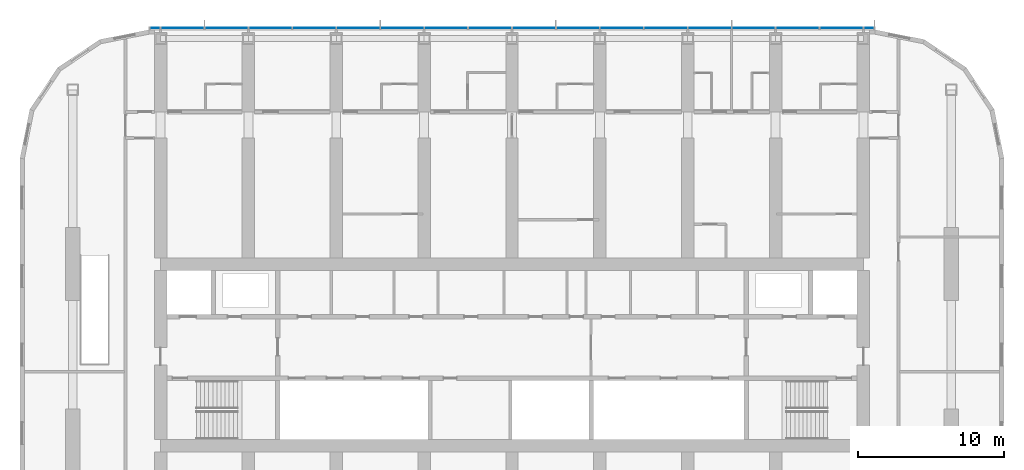
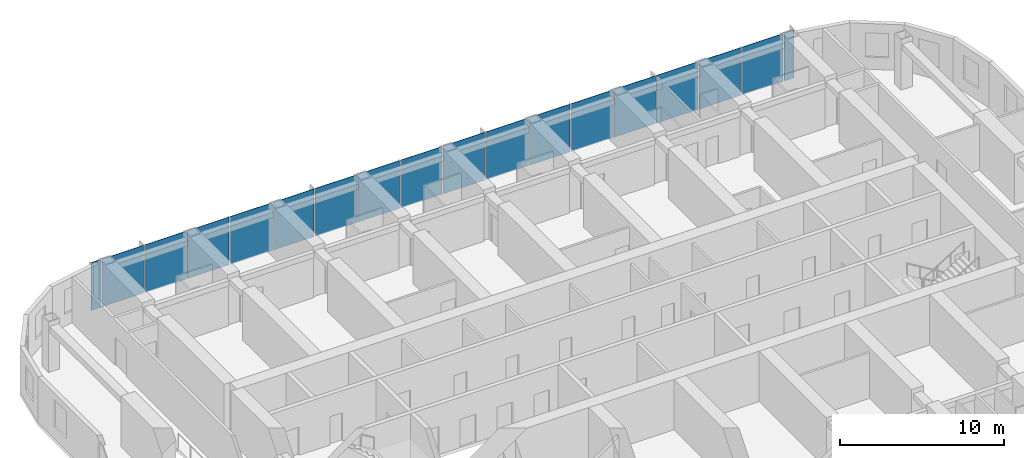
# One storey, part 9 of 22: 18 plates, 1 element without a shape of its own.
"""IFC4 building model written with IfcOpenShell, lengths in metres."""

from ifc_helpers import new_model, si_unit, direction, frame, origin, origin_2d, place, context, subcontext, project, spatial, rectangle, extrude, material, layer, layer_set, type_object, element, aggregate, save


model = new_model("IFC4")

# Units and contexts
model_context = context("Model", 3, precision=1e-05, world=origin(), true_north=direction((0.0, 1.0)))
body_context = subcontext(model_context, "Body", "Model", "MODEL_VIEW")
ifc_project = project(units=[si_unit("LENGTHUNIT", "METRE"), si_unit("AREAUNIT", "SQUARE_METRE"), si_unit("VOLUMEUNIT", "CUBIC_METRE"), si_unit("PLANEANGLEUNIT", "RADIAN"), si_unit("MASSUNIT", "GRAM", prefix="KILO")], contexts=[model_context])

# Site, building, storey
site_placement = place(None, origin())
site = spatial("IfcSite", under=ifc_project, at=site_placement, CompositionType="ELEMENT")
building_placement = place(site_placement, origin())
building = spatial("IfcBuilding", under=site, at=building_placement, Name="Orbita Commons", CompositionType="ELEMENT")
storey_placement = place(building_placement, frame((0.0, 0.0, 197.35009765625)))
storey = spatial("IfcBuildingStorey", under=building, at=storey_placement, Name="L49", CompositionType="ELEMENT", Elevation=197.35009765625)

# Curtain wall, plates
ifc_material_1 = material(Name="Anodised aluminium frame, pale silver", Category="aluminium")
curtain_wall_type = type_object("IfcCurtainWallType", Name="Unitised curtain wall CW-U, full-height vision", PredefinedType="NOTDEFINED", material=ifc_material_1)
curtain_wall_placement = place(storey_placement, origin())
curtain_wall = element("IfcCurtainWall", 1, at=curtain_wall_placement, inside=storey, type_object=curtain_wall_type, Name="Curtain wall north L49", PredefinedType="NOTDEFINED")
ifc_material_2 = material(Name="Clear double glazing", Category="glass")
ifc_layer = layer(ifc_material_2, 0.031982421875)
ifc_layer_set = layer_set([ifc_layer], Name="Clear double glazing")
plate_type = type_object("IfcPlateType", Name="Full-height vision panel, clear glazing 32", PredefinedType="CURTAIN_PANEL", material=ifc_layer_set)
plate_1_placement = place(storey_placement, frame((66.3798828125, 54.31005859375, -0.14990234375), z_axis=(0.0, 0.0, 1.0), x_axis=(-1.0, 0.0, 0.0)))
plate_1 = element("IfcPlate", 2, at=plate_1_placement, type_object=plate_type, Name="Panel 1.1 CW-L49-N", PredefinedType="CURTAIN_PANEL", context=body_context, shape_type="SweptSolid", body=[
    extrude(rectangle(XDim=0.679931640625, YDim=0.031982421875, at=origin_2d()), origin(), (0.0, 0.0, 1.0), 3.550048828125),
])
plate_2_placement = place(storey_placement, frame((64.5, 54.31005859375, -0.14990234375), z_axis=(0.0, 0.0, 1.0), x_axis=(-1.0, 0.0, 0.0)))
plate_2 = element("IfcPlate", 3, at=plate_2_placement, type_object=plate_type, Name="Panel 2.1 CW-L49-N", PredefinedType="CURTAIN_PANEL", context=body_context, shape_type="SweptSolid", body=[
    extrude(rectangle(XDim=2.919921875, YDim=0.031982421875, at=origin_2d()), origin(), (0.0, 0.0, 1.0), 3.550048828125),
])
plate_3_placement = place(storey_placement, frame((61.5, 54.31005859375, -0.14990234375), z_axis=(0.0, 0.0, 1.0), x_axis=(-1.0, 0.0, 0.0)))
plate_3 = element("IfcPlate", 4, at=plate_3_placement, type_object=plate_type, Name="Panel 3.1 CW-L49-N", PredefinedType="CURTAIN_PANEL", context=body_context, shape_type="SweptSolid", body=[
    extrude(rectangle(XDim=2.919921875, YDim=0.031982421875, at=origin_2d()), origin(), (0.0, 0.0, 1.0), 3.550048828125),
])
plate_4_placement = place(storey_placement, frame((58.5, 54.31005859375, -0.14990234375), z_axis=(0.0, 0.0, 1.0), x_axis=(-1.0, 0.0, 0.0)))
plate_4 = element("IfcPlate", 5, at=plate_4_placement, type_object=plate_type, Name="Panel 4.1 CW-L49-N", PredefinedType="CURTAIN_PANEL", context=body_context, shape_type="SweptSolid", body=[
    extrude(rectangle(XDim=2.919921875, YDim=0.031982421875, at=origin_2d()), origin(), (0.0, 0.0, 1.0), 3.550048828125),
])
plate_5_placement = place(storey_placement, frame((55.5, 54.31005859375, -0.14990234375), z_axis=(0.0, 0.0, 1.0), x_axis=(-1.0, 0.0, 0.0)))
plate_5 = element("IfcPlate", 6, at=plate_5_placement, type_object=plate_type, Name="Panel 5.1 CW-L49-N", PredefinedType="CURTAIN_PANEL", context=body_context, shape_type="SweptSolid", body=[
    extrude(rectangle(XDim=2.919921875, YDim=0.031982421875, at=origin_2d()), origin(), (0.0, 0.0, 1.0), 3.550048828125),
])
plate_6_placement = place(storey_placement, frame((52.5, 54.31005859375, -0.14990234375), z_axis=(0.0, 0.0, 1.0), x_axis=(-1.0, 0.0, 0.0)))
plate_6 = element("IfcPlate", 7, at=plate_6_placement, type_object=plate_type, Name="Panel 6.1 CW-L49-N", PredefinedType="CURTAIN_PANEL", context=body_context, shape_type="SweptSolid", body=[
    extrude(rectangle(XDim=2.919921875, YDim=0.031982421875, at=origin_2d()), origin(), (0.0, 0.0, 1.0), 3.550048828125),
])
plate_7_placement = place(storey_placement, frame((49.5, 54.31005859375, -0.14990234375), z_axis=(0.0, 0.0, 1.0), x_axis=(-1.0, 0.0, 0.0)))
plate_7 = element("IfcPlate", 8, at=plate_7_placement, type_object=plate_type, Name="Panel 7.1 CW-L49-N", PredefinedType="CURTAIN_PANEL", context=body_context, shape_type="SweptSolid", body=[
    extrude(rectangle(XDim=2.919921875, YDim=0.031982421875, at=origin_2d()), origin(), (0.0, 0.0, 1.0), 3.550048828125),
])
plate_8_placement = place(storey_placement, frame((46.5, 54.31005859375, -0.14990234375), z_axis=(0.0, 0.0, 1.0), x_axis=(-1.0, 0.0, 0.0)))
plate_8 = element("IfcPlate", 9, at=plate_8_placement, type_object=plate_type, Name="Panel 8.1 CW-L49-N", PredefinedType="CURTAIN_PANEL", context=body_context, shape_type="SweptSolid", body=[
    extrude(rectangle(XDim=2.919921875, YDim=0.031982421875, at=origin_2d()), origin(), (0.0, 0.0, 1.0), 3.550048828125),
])
plate_9_placement = place(storey_placement, frame((43.5, 54.31005859375, -0.14990234375), z_axis=(0.0, 0.0, 1.0), x_axis=(-1.0, 0.0, 0.0)))
plate_9 = element("IfcPlate", 10, at=plate_9_placement, type_object=plate_type, Name="Panel 9.1 CW-L49-N", PredefinedType="CURTAIN_PANEL", context=body_context, shape_type="SweptSolid", body=[
    extrude(rectangle(XDim=2.919921875, YDim=0.031982421875, at=origin_2d()), origin(), (0.0, 0.0, 1.0), 3.550048828125),
])
plate_10_placement = place(storey_placement, frame((40.5, 54.31005859375, -0.14990234375), z_axis=(0.0, 0.0, 1.0), x_axis=(-1.0, 0.0, 0.0)))
plate_10 = element("IfcPlate", 11, at=plate_10_placement, type_object=plate_type, Name="Panel 10.1 CW-L49-N", PredefinedType="CURTAIN_PANEL", context=body_context, shape_type="SweptSolid", body=[
    extrude(rectangle(XDim=2.919921875, YDim=0.031982421875, at=origin_2d()), origin(), (0.0, 0.0, 1.0), 3.550048828125),
])
plate_11_placement = place(storey_placement, frame((37.5, 54.31005859375, -0.14990234375), z_axis=(0.0, 0.0, 1.0), x_axis=(-1.0, 0.0, 0.0)))
plate_11 = element("IfcPlate", 12, at=plate_11_placement, type_object=plate_type, Name="Panel 11.1 CW-L49-N", PredefinedType="CURTAIN_PANEL", context=body_context, shape_type="SweptSolid", body=[
    extrude(rectangle(XDim=2.919921875, YDim=0.031982421875, at=origin_2d()), origin(), (0.0, 0.0, 1.0), 3.550048828125),
])
plate_12_placement = place(storey_placement, frame((34.5, 54.31005859375, -0.14990234375), z_axis=(0.0, 0.0, 1.0), x_axis=(-1.0, 0.0, 0.0)))
plate_12 = element("IfcPlate", 13, at=plate_12_placement, type_object=plate_type, Name="Panel 12.1 CW-L49-N", PredefinedType="CURTAIN_PANEL", context=body_context, shape_type="SweptSolid", body=[
    extrude(rectangle(XDim=2.919921875, YDim=0.031982421875, at=origin_2d()), origin(), (0.0, 0.0, 1.0), 3.550048828125),
])
plate_13_placement = place(storey_placement, frame((31.5, 54.31005859375, -0.14990234375), z_axis=(0.0, 0.0, 1.0), x_axis=(-1.0, 0.0, 0.0)))
plate_13 = element("IfcPlate", 14, at=plate_13_placement, type_object=plate_type, Name="Panel 13.1 CW-L49-N", PredefinedType="CURTAIN_PANEL", context=body_context, shape_type="SweptSolid", body=[
    extrude(rectangle(XDim=2.919921875, YDim=0.031982421875, at=origin_2d()), origin(), (0.0, 0.0, 1.0), 3.550048828125),
])
plate_14_placement = place(storey_placement, frame((28.5, 54.31005859375, -0.14990234375), z_axis=(0.0, 0.0, 1.0), x_axis=(-1.0, 0.0, 0.0)))
plate_14 = element("IfcPlate", 15, at=plate_14_placement, type_object=plate_type, Name="Panel 14.1 CW-L49-N", PredefinedType="CURTAIN_PANEL", context=body_context, shape_type="SweptSolid", body=[
    extrude(rectangle(XDim=2.919921875, YDim=0.031982421875, at=origin_2d()), origin(), (0.0, 0.0, 1.0), 3.550048828125),
])
plate_15_placement = place(storey_placement, frame((25.5, 54.31005859375, -0.14990234375), z_axis=(0.0, 0.0, 1.0), x_axis=(-1.0, 0.0, 0.0)))
plate_15 = element("IfcPlate", 16, at=plate_15_placement, type_object=plate_type, Name="Panel 15.1 CW-L49-N", PredefinedType="CURTAIN_PANEL", context=body_context, shape_type="SweptSolid", body=[
    extrude(rectangle(XDim=2.919921875, YDim=0.031982421875, at=origin_2d()), origin(), (0.0, 0.0, 1.0), 3.550048828125),
])
plate_16_placement = place(storey_placement, frame((22.5, 54.31005859375, -0.14990234375), z_axis=(0.0, 0.0, 1.0), x_axis=(-1.0, 0.0, 0.0)))
plate_16 = element("IfcPlate", 17, at=plate_16_placement, type_object=plate_type, Name="Panel 16.1 CW-L49-N", PredefinedType="CURTAIN_PANEL", context=body_context, shape_type="SweptSolid", body=[
    extrude(rectangle(XDim=2.919921875, YDim=0.031982421875, at=origin_2d()), origin(), (0.0, 0.0, 1.0), 3.550048828125),
])
plate_17_placement = place(storey_placement, frame((19.5, 54.31005859375, -0.14990234375), z_axis=(0.0, 0.0, 1.0), x_axis=(-1.0, 0.0, 0.0)))
plate_17 = element("IfcPlate", 18, at=plate_17_placement, type_object=plate_type, Name="Panel 17.1 CW-L49-N", PredefinedType="CURTAIN_PANEL", context=body_context, shape_type="SweptSolid", body=[
    extrude(rectangle(XDim=2.919921875, YDim=0.031982421875, at=origin_2d()), origin(), (0.0, 0.0, 1.0), 3.550048828125),
])
plate_18_placement = place(storey_placement, frame((17.6201171875, 54.31005859375, -0.14990234375), z_axis=(0.0, 0.0, 1.0), x_axis=(-1.0, 0.0, 0.0)))
plate_18 = element("IfcPlate", 19, at=plate_18_placement, type_object=plate_type, Name="Panel 18.1 CW-L49-N", PredefinedType="CURTAIN_PANEL", context=body_context, shape_type="SweptSolid", body=[
    extrude(rectangle(XDim=0.679931640625, YDim=0.031982421875, at=origin_2d()), origin(), (0.0, 0.0, 1.0), 3.550048828125),
])
aggregate(curtain_wall, [plate_1, plate_2, plate_3, plate_4, plate_5, plate_6, plate_7, plate_8, plate_9, plate_10, plate_11, plate_12, plate_13, plate_14, plate_15, plate_16, plate_17, plate_18])

save(model, "model.ifc")
